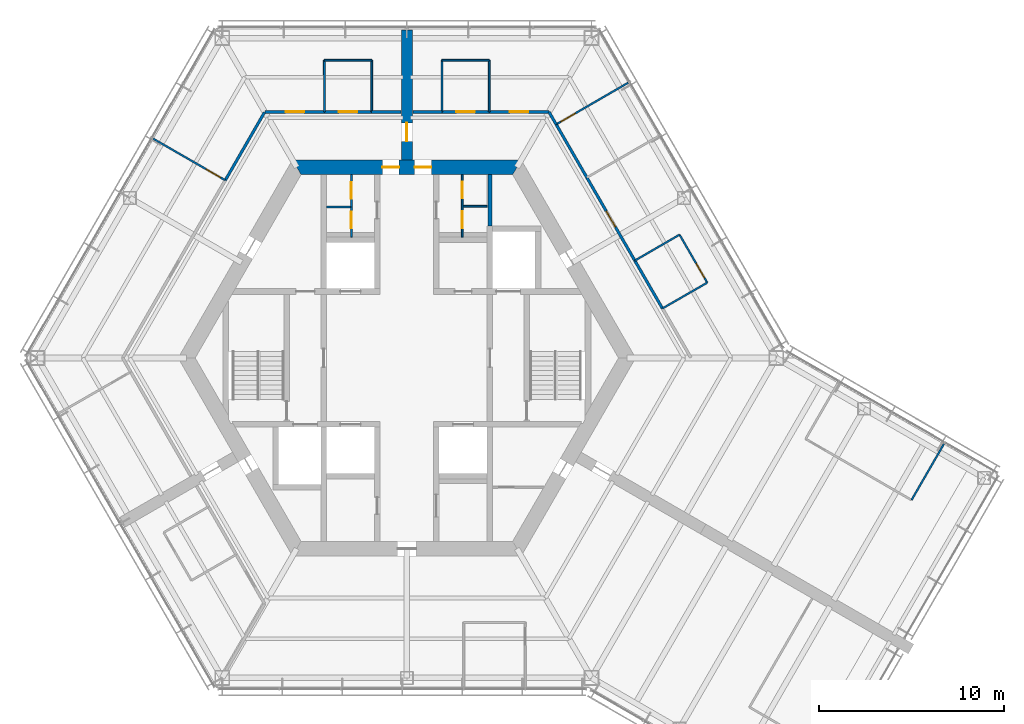
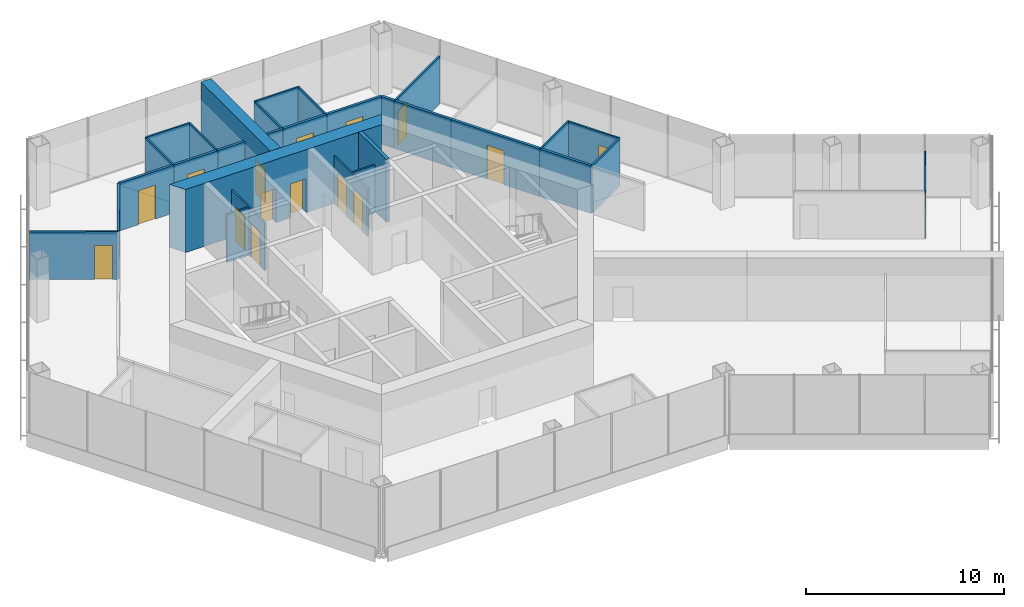
# One storey, part 12 of 15: 30 walls, 15 doors, 15 openings.
"""IFC4 building model written with IfcOpenShell, lengths in metres."""

from ifc_helpers import new_model, si_unit, direction, frame, frame_2d, origin, place, context, subcontext, project, spatial, polyline, rectangle, outline, extrude, material, layer, layer_set, type_object, element, fill, save


model = new_model("IFC4")

# Units and contexts
model_context = context("Model", 3, precision=1e-05, world=origin(), true_north=direction((0.0, 1.0)))
body_context = subcontext(model_context, "Body", "Model", "MODEL_VIEW")
ifc_project = project(units=[si_unit("LENGTHUNIT", "METRE"), si_unit("AREAUNIT", "SQUARE_METRE"), si_unit("VOLUMEUNIT", "CUBIC_METRE"), si_unit("PLANEANGLEUNIT", "RADIAN"), si_unit("MASSUNIT", "GRAM", prefix="KILO")], contexts=[model_context])

# Site, building, storey
site_placement = place(None, origin())
site = spatial("IfcSite", under=ifc_project, at=site_placement, CompositionType="ELEMENT")
building_placement = place(site_placement, origin())
building = spatial("IfcBuilding", under=site, at=building_placement, Name="Kasaneha Research Tower", CompositionType="ELEMENT")
storey_placement = place(building_placement, frame((0.0, 0.0, 240.10009765625)))
storey = spatial("IfcBuildingStorey", under=building, at=storey_placement, Name="L60", CompositionType="ELEMENT", Elevation=240.10009765625)

# Wall, openings, doors
ifc_material_1 = material(Name="Concrete Fc60", Category="concrete")
ifc_layer_1 = layer(ifc_material_1, 0.800048828125)
ifc_layer_set_1 = layer_set([ifc_layer_1], Name="Core wall 800 Fc60")
wall_type_1 = type_object("IfcWallType", Name="Core wall 800 Fc60", PredefinedType="SHEAR", material=ifc_layer_set_1)
wall_1_placement = place(storey_placement, frame((5.961181640625, 10.324951171875, 0.0), z_axis=(0.0, 0.0, 1.0), x_axis=(-1.0, 0.0, 0.0)))
wall_1 = element("IfcWall", 1, at=wall_1_placement, inside=storey, type_object=wall_type_1, Name="Core wall 090 L60", PredefinedType="SHEAR", context=body_context, shape_type="SweptSolid", body=[
    extrude(outline(polyline([(-0.23095703125, -0.39990234375), (4.63623046875, -0.39990234375), (5.5361328125, -0.39990234375), (6.38623046875, -0.39990234375), (7.2861328125, -0.39990234375), (12.1533203125, -0.39990234375), (11.69140625, 0.39990234375), (7.2861328125, 0.39990234375), (6.38623046875, 0.39990234375), (5.5361328125, 0.39990234375), (4.63623046875, 0.39990234375), (0.23095703125, 0.39990234375), (-0.23095703125, -0.39990234375)])), origin(), (0.0, 0.0, 1.0), 3.89990234375),
])
opening_1_placement = place(wall_1_placement, frame((6.38623046875, 0.0, 0.0)))
opening_1 = element("IfcOpeningElement", 2, at=opening_1_placement, cuts=wall_1, Name="Opening L60-D01", PredefinedType="OPENING", context=body_context, shape_type="SweptSolid", body=[
    extrude(rectangle(XDim=0.89990234375, YDim=2.10009765625, at=frame_2d((0.449951171875, 1.050048828125))), frame((0.0, 0.41015625, 0.0), z_axis=(0.0, -1.0, 0.0), x_axis=(1.0, 0.0, 0.0)), (0.0, 0.0, 1.0), 0.820068359375),
])
opening_2_placement = place(wall_1_placement, frame((4.63623046875, 0.0, 0.0)))
opening_2 = element("IfcOpeningElement", 3, at=opening_2_placement, cuts=wall_1, Name="Opening L60-D02", PredefinedType="OPENING", context=body_context, shape_type="SweptSolid", body=[
    extrude(rectangle(XDim=0.89990234375, YDim=2.10009765625, at=frame_2d((0.449951171875, 1.050048828125))), frame((0.0, 0.41015625, 0.0), z_axis=(0.0, -1.0, 0.0), x_axis=(1.0, 0.0, 0.0)), (0.0, 0.0, 1.0), 0.820068359375),
])
ifc_material_2 = material(Name="Steel", Category="steel")
door_type_1 = type_object("IfcDoorType", Name="Toilet door FD20 900x2100", OperationType="NOTDEFINED", PredefinedType="DOOR", material=ifc_material_2)
door_1_placement = place(opening_1_placement, origin())
door_1 = element("IfcDoor", 4, at=door_1_placement, inside=storey, type_object=door_type_1, Name="Core door north 1 L60-D01", OperationType="SINGLE_SWING_RIGHT", OverallHeight=2.10009765625, OverallWidth=0.89990234375, PredefinedType="DOOR", context=body_context, shape_type="SweptSolid", body=[
    extrude(rectangle(XDim=0.89990234375, YDim=2.10009765625, at=frame_2d((0.449951171875, 1.050048828125))), frame((0.0, 0.02490234375, 0.0), z_axis=(0.0, -1.0, 0.0), x_axis=(1.0, 0.0, 0.0)), (0.0, 0.0, 1.0), 0.050048828125),
])
fill(opening_1, door_1)
door_2_placement = place(opening_2_placement, origin())
door_2 = element("IfcDoor", 5, at=door_2_placement, inside=storey, type_object=door_type_1, Name="Core door north 2 L60-D02", OperationType="SINGLE_SWING_LEFT", OverallHeight=2.10009765625, OverallWidth=0.89990234375, PredefinedType="DOOR", context=body_context, shape_type="SweptSolid", body=[
    extrude(rectangle(XDim=0.89990234375, YDim=2.10009765625, at=frame_2d((0.449951171875, 1.050048828125))), frame((0.0, 0.02490234375, 0.0), z_axis=(0.0, -1.0, 0.0), x_axis=(1.0, 0.0, 0.0)), (0.0, 0.0, 1.0), 0.050048828125),
])
fill(opening_2, door_2)

ifc_material_3 = material(Name="Gypsum board on steel studs, one layer each side", Category="steel")
ifc_layer_2 = layer(ifc_material_3, 0.10009765625)
ifc_layer_set_2 = layer_set([ifc_layer_2], Name="Office partition 100")
wall_type_2 = type_object("IfcWallType", Name="Office partition 100", PredefinedType="PARTITIONING", material=ifc_layer_set_2)
wall_2_placement = place(storey_placement, frame((-3.0, 6.550048828125, 0.0), z_axis=(0.0, 0.0, 1.0), x_axis=(0.0, 1.0, 0.0)))
wall_2 = element("IfcWall", 6, at=wall_2_placement, inside=storey, type_object=wall_type_2, Name="Office partition TBM1 L60", PredefinedType="PARTITIONING", context=body_context, shape_type="SweptSolid", body=[
    extrude(rectangle(XDim=3.375, YDim=0.10009765625, at=frame_2d((1.6875, 0.0))), origin(), (0.0, 0.0, 1.0), 2.949951171875),
])
opening_3_placement = place(wall_2_placement, frame((2.074951171875, 0.0, 0.0)))
opening_3 = element("IfcOpeningElement", 7, at=opening_3_placement, cuts=wall_2, Name="Opening L60-D21", PredefinedType="OPENING", context=body_context, shape_type="SweptSolid", body=[
    extrude(rectangle(XDim=0.89990234375, YDim=2.10009765625, at=frame_2d((0.449951171875, 1.050048828125))), frame((0.0, 0.06005859375, 0.0), z_axis=(0.0, -1.0, 0.0), x_axis=(1.0, 0.0, 0.0)), (0.0, 0.0, 1.0), 0.1201171875),
])
opening_4_placement = place(wall_2_placement, frame((0.46240234375, 0.0, 0.0)))
opening_4 = element("IfcOpeningElement", 8, at=opening_4_placement, cuts=wall_2, Name="Opening L60-D22", PredefinedType="OPENING", context=body_context, shape_type="SweptSolid", body=[
    extrude(rectangle(XDim=0.89990234375, YDim=2.10009765625, at=frame_2d((0.449951171875, 1.050048828125))), frame((0.0, 0.06005859375, 0.0), z_axis=(0.0, -1.0, 0.0), x_axis=(1.0, 0.0, 0.0)), (0.0, 0.0, 1.0), 0.1201171875),
])
ifc_material_4 = material(Name="Steel", Category="steel")
door_type_2 = type_object("IfcDoorType", Name="Toilet lobby door FD30 900x2100", OperationType="NOTDEFINED", PredefinedType="DOOR", material=ifc_material_4)
door_3_placement = place(opening_3_placement, origin())
door_3 = element("IfcDoor", 9, at=door_3_placement, inside=storey, type_object=door_type_2, Name="Men's WC door L60-D21", OperationType="SINGLE_SWING_RIGHT", OverallHeight=2.10009765625, OverallWidth=0.89990234375, PredefinedType="DOOR", context=body_context, shape_type="SweptSolid", body=[
    extrude(rectangle(XDim=0.89990234375, YDim=2.10009765625, at=frame_2d((0.449951171875, 1.050048828125))), frame((0.0, 0.02490234375, 0.0), z_axis=(0.0, -1.0, 0.0), x_axis=(1.0, 0.0, 0.0)), (0.0, 0.0, 1.0), 0.050048828125),
])
fill(opening_3, door_3)
door_4_placement = place(opening_4_placement, origin())
door_4 = element("IfcDoor", 10, at=door_4_placement, inside=storey, type_object=door_type_2, Name="Cleaner's store door L60-D22", OperationType="SINGLE_SWING_RIGHT", OverallHeight=2.10009765625, OverallWidth=0.89990234375, PredefinedType="DOOR", context=body_context, shape_type="SweptSolid", body=[
    extrude(rectangle(XDim=0.89990234375, YDim=2.10009765625, at=frame_2d((0.449951171875, 1.050048828125))), frame((0.0, 0.02490234375, 0.0), z_axis=(0.0, -1.0, 0.0), x_axis=(1.0, 0.0, 0.0)), (0.0, 0.0, 1.0), 0.050048828125),
])
fill(opening_4, door_4)

# Wall
wall_3_placement = place(storey_placement, frame((-3.050048828125, 8.175048828125, 0.0), z_axis=(0.0, 0.0, 1.0), x_axis=(-1.0, 0.0, 0.0)))
element("IfcWall", 11, at=wall_3_placement, inside=storey, type_object=wall_type_2, Name="Office partition TBM2 L60", PredefinedType="PARTITIONING", context=body_context, shape_type="SweptSolid", body=[
    extrude(rectangle(XDim=1.300048828125, YDim=0.10009765625, at=frame_2d((0.64990234375, 0.0))), origin(), (0.0, 0.0, 1.0), 2.949951171875),
])

# Wall, openings, doors
wall_4_placement = place(storey_placement, frame((3.0, 6.550048828125, 0.0), z_axis=(0.0, 0.0, 1.0), x_axis=(0.0, 1.0, 0.0)))
wall_4 = element("IfcWall", 12, at=wall_4_placement, inside=storey, type_object=wall_type_2, Name="Office partition TBF1 L60", PredefinedType="PARTITIONING", context=body_context, shape_type="SweptSolid", body=[
    extrude(rectangle(XDim=3.375, YDim=0.10009765625, at=frame_2d((1.6875, 0.0))), origin(), (0.0, 0.0, 1.0), 2.949951171875),
])
opening_5_placement = place(wall_4_placement, frame((2.09521484375, 0.0, 0.0)))
opening_5 = element("IfcOpeningElement", 13, at=opening_5_placement, cuts=wall_4, Name="Opening L60-D23", PredefinedType="OPENING", context=body_context, shape_type="SweptSolid", body=[
    extrude(rectangle(XDim=0.89990234375, YDim=2.10009765625, at=frame_2d((0.449951171875, 1.050048828125))), frame((0.0, 0.06005859375, 0.0), z_axis=(0.0, -1.0, 0.0), x_axis=(1.0, 0.0, 0.0)), (0.0, 0.0, 1.0), 0.1201171875),
])
opening_6_placement = place(wall_4_placement, frame((0.482666015625, 0.0, 0.0)))
opening_6 = element("IfcOpeningElement", 14, at=opening_6_placement, cuts=wall_4, Name="Opening L60-D24", PredefinedType="OPENING", context=body_context, shape_type="SweptSolid", body=[
    extrude(rectangle(XDim=0.89990234375, YDim=2.10009765625, at=frame_2d((0.449951171875, 1.050048828125))), frame((0.0, 0.06005859375, 0.0), z_axis=(0.0, -1.0, 0.0), x_axis=(1.0, 0.0, 0.0)), (0.0, 0.0, 1.0), 0.1201171875),
])
door_5_placement = place(opening_5_placement, origin())
door_5 = element("IfcDoor", 15, at=door_5_placement, inside=storey, type_object=door_type_2, Name="Women's WC door L60-D23", OperationType="SINGLE_SWING_RIGHT", OverallHeight=2.10009765625, OverallWidth=0.89990234375, PredefinedType="DOOR", context=body_context, shape_type="SweptSolid", body=[
    extrude(rectangle(XDim=0.89990234375, YDim=2.10009765625, at=frame_2d((0.449951171875, 1.050048828125))), frame((0.0, 0.02490234375, 0.0), z_axis=(0.0, -1.0, 0.0), x_axis=(1.0, 0.0, 0.0)), (0.0, 0.0, 1.0), 0.050048828125),
])
fill(opening_5, door_5)
door_6_placement = place(opening_6_placement, origin())
door_6 = element("IfcDoor", 16, at=door_6_placement, inside=storey, type_object=door_type_2, Name="Shower room door L60-D24", OperationType="SINGLE_SWING_RIGHT", OverallHeight=2.10009765625, OverallWidth=0.89990234375, PredefinedType="DOOR", context=body_context, shape_type="SweptSolid", body=[
    extrude(rectangle(XDim=0.89990234375, YDim=2.10009765625, at=frame_2d((0.449951171875, 1.050048828125))), frame((0.0, 0.02490234375, 0.0), z_axis=(0.0, -1.0, 0.0), x_axis=(1.0, 0.0, 0.0)), (0.0, 0.0, 1.0), 0.050048828125),
])
fill(opening_6, door_6)

# Walls
wall_5_placement = place(storey_placement, frame((3.050048828125, 8.21533203125, 0.0), z_axis=(0.0, 0.0, 1.0), x_axis=(1.0, 0.0, 0.0)))
element("IfcWall", 17, at=wall_5_placement, inside=storey, type_object=wall_type_2, Name="Office partition TBF2 L60", PredefinedType="PARTITIONING", context=body_context, shape_type="SweptSolid", body=[
    extrude(rectangle(XDim=1.300048828125, YDim=0.10009765625, at=frame_2d((0.64990234375, 0.0))), origin(), (0.0, 0.0, 1.0), 2.949951171875),
])
wall_6_placement = place(storey_placement, frame((1.89990234375, 16.125, 0.0), z_axis=(0.0, 0.0, 1.0), x_axis=(1.0, 0.0, 0.0)))
element("IfcWall", 18, at=wall_6_placement, inside=storey, type_object=wall_type_2, Name="Office partition FAE09 L60", PredefinedType="PARTITIONING", context=body_context, shape_type="SweptSolid", body=[
    extrude(rectangle(XDim=2.565185546875, YDim=0.10009765625, at=frame_2d((1.28271484375, 0.0))), origin(), (0.0, 0.0, 1.0), 2.949951171875),
])
for number, where, z_axis, x_axis, name in (
    (19, (1.904541015625, 13.324951171875, 0.0), (0.0, 0.0, 1.0), (-0.001656637364, 0.999998627775, 0.0), "Office partition FAE10 L60"),
    (20, (4.465087890625, 16.125, 0.0), (0.0, 0.0, 1.0), (-0.001656637364, -0.999998627775, 0.0), "Office partition FAE11 L60"),
    (21, (12.342041015625, 5.27294921875, 0.0), (0.0, 0.0, 1.0), (0.865195372903, 0.501434907746, 0.0), "Office partition FAE12 L60"),
):
    element("IfcWall", number, at=place(storey_placement, frame(where, z_axis=z_axis, x_axis=x_axis)), inside=storey, type_object=wall_type_2, Name=name, PredefinedType="PARTITIONING", context=body_context, shape_type="SweptSolid", body=[
        extrude(rectangle(XDim=2.800048828125, YDim=0.10009765625, at=frame_2d((1.39990234375, 0.0))), origin(), (0.0, 0.0, 1.0), 2.949951171875),
    ])

# Wall, opening, door
wall_7_placement = place(storey_placement, frame((14.7646484375, 6.677001953125, 0.0), z_axis=(0.0, 0.0, 1.0), x_axis=(0.499990139034, -0.866031096941, 0.0)))
wall_7 = element("IfcWall", 22, at=wall_7_placement, inside=storey, type_object=wall_type_2, Name="Office partition FAE13 L60", PredefinedType="PARTITIONING", context=body_context, shape_type="SweptSolid", body=[
    extrude(rectangle(XDim=3.0, YDim=0.10009765625, at=frame_2d((1.5, 0.0))), origin(), (0.0, 0.0, 1.0), 2.949951171875),
])
opening_7_placement = place(wall_7_placement, frame((1.800048828125, 0.0, 0.0)))
opening_7 = element("IfcOpeningElement", 23, at=opening_7_placement, cuts=wall_7, Name="Opening L60-D29", PredefinedType="OPENING", context=body_context, shape_type="SweptSolid", body=[
    extrude(rectangle(XDim=0.89990234375, YDim=2.10009765625, at=frame_2d((0.449951171875, 1.050048828125))), frame((0.0, 0.06005859375, 0.0), z_axis=(0.0, -1.0, 0.0), x_axis=(1.0, 0.0, 0.0)), (0.0, 0.0, 1.0), 0.1201171875),
])
ifc_material_5 = material(Name="Timber veneer", Category="wood")
door_type_3 = type_object("IfcDoorType", Name="Office door 900x2100", OperationType="SINGLE_SWING_LEFT", PredefinedType="DOOR", material=ifc_material_5)
door_7_placement = place(opening_7_placement, origin())
door_7 = element("IfcDoor", 24, at=door_7_placement, inside=storey, type_object=door_type_3, Name="Pantry door L60-D29", OperationType="SINGLE_SWING_RIGHT", OverallHeight=2.10009765625, OverallWidth=0.89990234375, PredefinedType="DOOR", context=body_context, shape_type="SweptSolid", body=[
    extrude(rectangle(XDim=0.89990234375, YDim=2.10009765625, at=frame_2d((0.449951171875, 1.050048828125))), frame((0.0, 0.02490234375, 0.0), z_axis=(0.0, -1.0, 0.0), x_axis=(1.0, 0.0, 0.0)), (0.0, 0.0, 1.0), 0.050048828125),
])
fill(opening_7, door_7)

# Wall
wall_8_placement = place(storey_placement, frame((16.2646484375, 4.078857421875, 0.0), z_axis=(0.0, 0.0, 1.0), x_axis=(-0.86679607088, -0.498662783358, 0.0)))
element("IfcWall", 25, at=wall_8_placement, inside=storey, type_object=wall_type_2, Name="Office partition FAE14 L60", PredefinedType="PARTITIONING", context=body_context, shape_type="SweptSolid", body=[
    extrude(rectangle(XDim=2.800048828125, YDim=0.10009765625, at=frame_2d((1.39990234375, 0.0))), origin(), (0.0, 0.0, 1.0), 2.949951171875),
])

# Wall, opening, door
wall_9_placement = place(storey_placement, frame((8.084228515625, 12.647705078125, 0.0), z_axis=(0.0, 0.0, 1.0), x_axis=(0.865532616855, 0.500852562298, 0.0)))
wall_9 = element("IfcWall", 26, at=wall_9_placement, inside=storey, type_object=wall_type_2, Name="Office partition FAE16 L60", PredefinedType="PARTITIONING", context=body_context, shape_type="SweptSolid", body=[
    extrude(rectangle(XDim=4.505615234375, YDim=0.10009765625, at=frame_2d((2.2529296875, 0.0))), origin(), (0.0, 0.0, 1.0), 2.949951171875),
])
opening_8_placement = place(wall_9_placement, frame((0.300048828125, 0.0, 0.0)))
opening_8 = element("IfcOpeningElement", 27, at=opening_8_placement, cuts=wall_9, Name="Opening L60-D30", PredefinedType="OPENING", context=body_context, shape_type="SweptSolid", body=[
    extrude(rectangle(XDim=0.89990234375, YDim=2.10009765625, at=frame_2d((0.449951171875, 1.050048828125))), frame((0.0, 0.06005859375, 0.0), z_axis=(0.0, -1.0, 0.0), x_axis=(1.0, 0.0, 0.0)), (0.0, 0.0, 1.0), 0.1201171875),
])
door_8_placement = place(opening_8_placement, origin())
door_8 = element("IfcDoor", 28, at=door_8_placement, inside=storey, type_object=door_type_3, Name="Meeting room door L60-D30", OperationType="SINGLE_SWING_LEFT", OverallHeight=2.10009765625, OverallWidth=0.89990234375, PredefinedType="DOOR", context=body_context, shape_type="SweptSolid", body=[
    extrude(rectangle(XDim=0.89990234375, YDim=2.10009765625, at=frame_2d((0.449951171875, 1.050048828125))), frame((0.0, 0.02490234375, 0.0), z_axis=(0.0, -1.0, 0.0), x_axis=(1.0, 0.0, 0.0)), (0.0, 0.0, 1.0), 0.050048828125),
])
fill(opening_8, door_8)

# Walls
wall_10_placement = place(storey_placement, frame((-4.465087890625, 16.125, 0.0), z_axis=(0.0, 0.0, 1.0), x_axis=(1.0, 0.0, 0.0)))
element("IfcWall", 29, at=wall_10_placement, inside=storey, type_object=wall_type_2, Name="Office partition FAW04 L60", PredefinedType="PARTITIONING", context=body_context, shape_type="SweptSolid", body=[
    extrude(rectangle(XDim=2.565185546875, YDim=0.10009765625, at=frame_2d((1.28271484375, 0.0))), origin(), (0.0, 0.0, 1.0), 2.949951171875),
])
for number, where, z_axis, x_axis, name in (
    (30, (-4.46044921875, 13.324951171875, 0.0), (0.0, 0.0, 1.0), (-0.001656637364, 0.999998627775, 0.0), "Office partition FAW05 L60"),
    (31, (-1.89990234375, 16.125, 0.0), (0.0, 0.0, 1.0), (-0.001656637364, -0.999998627775, 0.0), "Office partition FAW06 L60"),
):
    element("IfcWall", number, at=place(storey_placement, frame(where, z_axis=z_axis, x_axis=x_axis)), inside=storey, type_object=wall_type_2, Name=name, PredefinedType="PARTITIONING", context=body_context, shape_type="SweptSolid", body=[
        extrude(rectangle(XDim=2.800048828125, YDim=0.10009765625, at=frame_2d((1.39990234375, 0.0))), origin(), (0.0, 0.0, 1.0), 2.949951171875),
    ])

# Wall, opening, door
wall_11_placement = place(storey_placement, frame((-9.829833984375, 9.624267578125, 0.0), z_axis=(0.0, 0.0, 1.0), x_axis=(-0.866527293697, 0.499129691842, 0.0)))
wall_11 = element("IfcWall", 32, at=wall_11_placement, inside=storey, type_object=wall_type_2, Name="Office partition FBN06 L60", PredefinedType="PARTITIONING", context=body_context, shape_type="SweptSolid", body=[
    extrude(rectangle(XDim=4.50537109375, YDim=0.10009765625, at=frame_2d((2.252685546875, 0.0))), origin(), (0.0, 0.0, 1.0), 2.949951171875),
])
opening_9_placement = place(wall_11_placement, frame((0.300048828125, 0.0, 0.0)))
opening_9 = element("IfcOpeningElement", 33, at=opening_9_placement, cuts=wall_11, Name="Opening L60-D35", PredefinedType="OPENING", context=body_context, shape_type="SweptSolid", body=[
    extrude(rectangle(XDim=0.89990234375, YDim=2.10009765625, at=frame_2d((0.449951171875, 1.050048828125))), frame((0.0, 0.06005859375, 0.0), z_axis=(0.0, -1.0, 0.0), x_axis=(1.0, 0.0, 0.0)), (0.0, 0.0, 1.0), 0.1201171875),
])
door_9_placement = place(opening_9_placement, origin())
door_9 = element("IfcDoor", 34, at=door_9_placement, inside=storey, type_object=door_type_3, Name="Reading room door L60-D35", OperationType="SINGLE_SWING_LEFT", OverallHeight=2.10009765625, OverallWidth=0.89990234375, PredefinedType="DOOR", context=body_context, shape_type="SweptSolid", body=[
    extrude(rectangle(XDim=0.89990234375, YDim=2.10009765625, at=frame_2d((0.449951171875, 1.050048828125))), frame((0.0, 0.02490234375, 0.0), z_axis=(0.0, -1.0, 0.0), x_axis=(1.0, 0.0, 0.0)), (0.0, 0.0, 1.0), 0.050048828125),
])
fill(opening_9, door_9)

# Walls
wall_12_placement = place(storey_placement, frame((29.080078125, -4.6533203125, 0.0), z_axis=(0.0, 0.0, 1.0), x_axis=(-0.500021481416, -0.866013001128, 0.0)))
element("IfcWall", 35, at=wall_12_placement, inside=storey, type_object=wall_type_2, Name="Office partition FCE03 L60", PredefinedType="PARTITIONING", context=body_context, shape_type="SweptSolid", body=[
    extrude(rectangle(XDim=3.510009765625, YDim=0.10009765625, at=frame_2d((1.7548828125, 0.0))), origin(), (0.0, 0.0, 1.0), 2.949951171875),
])
ifc_material_6 = material(Name="Concrete block", Category="concrete")
ifc_layer_3 = layer(ifc_material_6, 0.199951171875)
ifc_layer_set_3 = layer_set([ifc_layer_3], Name="Riser enclosure wall 200")
wall_type_3 = type_object("IfcWallType", Name="Riser enclosure wall 200", PredefinedType="STANDARD", material=ifc_layer_set_3)
wall_13_placement = place(storey_placement, frame((4.5, 7.14990234375, 0.0), z_axis=(0.0, 0.0, 1.0), x_axis=(0.0, 1.0, 0.0)))
element("IfcWall", 36, at=wall_13_placement, inside=storey, type_object=wall_type_3, Name="Riser enclosure wall L60", PredefinedType="STANDARD", context=body_context, shape_type="SweptSolid", body=[
    extrude(rectangle(XDim=2.775146484375, YDim=0.199951171875, at=frame_2d((1.3876953125, 0.0))), origin(), (0.0, 0.0, 1.0), 3.89990234375),
])

# Wall, opening, door
ifc_material_7 = material(Name="Concrete Fc60", Category="concrete")
ifc_layer_4 = layer(ifc_material_7, 0.60009765625)
ifc_layer_set_4 = layer_set([ifc_layer_4], Name="Spine wall 600 Fc60")
wall_type_4 = type_object("IfcWallType", Name="Spine wall 600 Fc60", PredefinedType="SHEAR", material=ifc_layer_set_4)
wall_14_placement = place(storey_placement, frame((0.0, 10.72509765625, 0.0), z_axis=(0.0, 0.0, 1.0), x_axis=(0.0, 1.0, 0.0)))
wall_14 = element("IfcWall", 37, at=wall_14_placement, inside=storey, type_object=wall_type_4, Name="Spine wall A L60", PredefinedType="SHEAR", context=body_context, shape_type="SweptSolid", body=[
    extrude(rectangle(XDim=7.04541015625, YDim=0.60009765625, at=frame_2d((3.522705078125, 0.0))), origin(), (0.0, 0.0, 1.0), 3.89990234375),
])
opening_10_placement = place(wall_14_placement, frame((1.0, 0.0, 0.0)))
opening_10 = element("IfcOpeningElement", 38, at=opening_10_placement, cuts=wall_14, Name="Opening L60-D18", PredefinedType="OPENING", context=body_context, shape_type="SweptSolid", body=[
    extrude(rectangle(XDim=1.0, YDim=2.10009765625, at=frame_2d((0.5, 1.050048828125))), frame((0.0, 0.31005859375, 0.0), z_axis=(0.0, -1.0, 0.0), x_axis=(1.0, 0.0, 0.0)), (0.0, 0.0, 1.0), 0.6201171875),
])
ifc_material_8 = material(Name="Steel", Category="steel")
door_type_4 = type_object("IfcDoorType", Name="Specified fire door FD60 1000x2100", OperationType="NOTDEFINED", PredefinedType="DOOR", material=ifc_material_8)
door_10_placement = place(opening_10_placement, origin())
door_10 = element("IfcDoor", 39, at=door_10_placement, inside=storey, type_object=door_type_4, Name="Spine doorway A L60-D18", OperationType="SINGLE_SWING_LEFT", OverallHeight=2.10009765625, OverallWidth=1.0, PredefinedType="DOOR", context=body_context, shape_type="SweptSolid", body=[
    extrude(rectangle(XDim=1.0, YDim=2.10009765625, at=frame_2d((0.5, 1.050048828125))), frame((0.0, 0.02490234375, 0.0), z_axis=(0.0, -1.0, 0.0), x_axis=(1.0, 0.0, 0.0)), (0.0, 0.0, 1.0), 0.050048828125),
])
fill(opening_10, door_10)

ifc_material_9 = material(Name="Gypsum board on steel studs, two layers each side", Category="steel")
ifc_layer_5 = layer(ifc_material_9, 0.14990234375)
ifc_layer_set_5 = layer_set([ifc_layer_5], Name="Suite partition 150")
wall_type_5 = type_object("IfcWallType", Name="Suite partition 150", PredefinedType="PARTITIONING", material=ifc_layer_set_5)
wall_15_placement = place(storey_placement, frame((1.89501953125, 13.324951171875, 0.0), z_axis=(0.0, 0.0, 1.0), x_axis=(1.0, 0.0, 0.0)))
wall_15 = element("IfcWall", 40, at=wall_15_placement, inside=storey, type_object=wall_type_5, Name="Suite partition FAE01 L60", PredefinedType="PARTITIONING", context=body_context, shape_type="SweptSolid", body=[
    extrude(rectangle(XDim=2.574951171875, YDim=0.14990234375, at=frame_2d((1.28759765625, 0.0))), origin(), (0.0, 0.0, 1.0), 2.949951171875),
])
opening_11_placement = place(wall_15_placement, frame((0.78759765625, 0.0, 0.0)))
opening_11 = element("IfcOpeningElement", 41, at=opening_11_placement, cuts=wall_15, Name="Opening L60-D26", PredefinedType="OPENING", context=body_context, shape_type="SweptSolid", body=[
    extrude(rectangle(XDim=1.0, YDim=2.10009765625, at=frame_2d((0.5, 1.050048828125))), frame((0.0, 0.0849609375, 0.0), z_axis=(0.0, -1.0, 0.0), x_axis=(1.0, 0.0, 0.0)), (0.0, 0.0, 1.0), 0.169921875),
])
ifc_material_10 = material(Name="Steel", Category="steel")
door_type_5 = type_object("IfcDoorType", Name="Suite entrance door FD60 1000x2100", OperationType="NOTDEFINED", PredefinedType="DOOR", material=ifc_material_10)
door_11_placement = place(opening_11_placement, origin())
door_11 = element("IfcDoor", 42, at=door_11_placement, inside=storey, type_object=door_type_5, Name="Suite entrance door L60-D26", OperationType="SINGLE_SWING_RIGHT", OverallHeight=2.10009765625, OverallWidth=1.0, PredefinedType="DOOR", context=body_context, shape_type="SweptSolid", body=[
    extrude(rectangle(XDim=1.0, YDim=2.10009765625, at=frame_2d((0.5, 1.050048828125))), frame((0.0, 0.02490234375, 0.0), z_axis=(0.0, -1.0, 0.0), x_axis=(1.0, 0.0, 0.0)), (0.0, 0.0, 1.0), 0.050048828125),
])
fill(opening_11, door_11)

# Walls
wall_16_placement = place(storey_placement, frame((12.33740234375, 5.28125, 0.0), z_axis=(0.0, 0.0, 1.0), x_axis=(0.499977562641, -0.866038357612, 0.0)))
element("IfcWall", 43, at=wall_16_placement, inside=storey, type_object=wall_type_5, Name="Suite partition FAE02 L60", PredefinedType="PARTITIONING", context=body_context, shape_type="SweptSolid", body=[
    extrude(rectangle(XDim=3.010009765625, YDim=0.14990234375, at=frame_2d((1.5048828125, 0.0))), origin(), (0.0, 0.0, 1.0), 2.949951171875),
])
wall_17_placement = place(storey_placement, frame((8.07958984375, 12.65576171875, 0.0), z_axis=(0.0, 0.0, 1.0), x_axis=(0.499990242038, -0.866031037473, 0.0)))
element("IfcWall", 44, at=wall_17_placement, inside=storey, type_object=wall_type_5, Name="Suite partition FAE03 L60", PredefinedType="PARTITIONING", context=body_context, shape_type="SweptSolid", body=[
    extrude(rectangle(XDim=3.3408203125, YDim=0.14990234375, at=frame_2d((1.67041015625, 0.0))), origin(), (0.0, 0.0, 1.0), 2.949951171875),
])

# Wall, opening, door
wall_18_placement = place(storey_placement, frame((9.745361328125, 9.770751953125, 0.0), z_axis=(0.0, 0.0, 1.0), x_axis=(0.499981525251, -0.866036069923, 0.0)))
wall_18 = element("IfcWall", 45, at=wall_18_placement, inside=storey, type_object=wall_type_5, Name="Suite partition FAE04 L60", PredefinedType="PARTITIONING", context=body_context, shape_type="SweptSolid", body=[
    extrude(rectangle(XDim=5.193603515625, YDim=0.14990234375, at=frame_2d((2.5966796875, 0.0))), origin(), (0.0, 0.0, 1.0), 2.949951171875),
])
opening_12_placement = place(wall_18_placement, frame((2.0966796875, 0.0, 0.0)))
opening_12 = element("IfcOpeningElement", 46, at=opening_12_placement, cuts=wall_18, Name="Opening L60-D27", PredefinedType="OPENING", context=body_context, shape_type="SweptSolid", body=[
    extrude(rectangle(XDim=1.0, YDim=2.10009765625, at=frame_2d((0.5, 1.050048828125))), frame((0.0, 0.0849609375, 0.0), z_axis=(0.0, -1.0, 0.0), x_axis=(1.0, 0.0, 0.0)), (0.0, 0.0, 1.0), 0.169921875),
])
door_12_placement = place(opening_12_placement, origin())
door_12 = element("IfcDoor", 47, at=door_12_placement, inside=storey, type_object=door_type_5, Name="Suite entrance door L60-D27", OperationType="SINGLE_SWING_RIGHT", OverallHeight=2.10009765625, OverallWidth=1.0, PredefinedType="DOOR", context=body_context, shape_type="SweptSolid", body=[
    extrude(rectangle(XDim=1.0, YDim=2.10009765625, at=frame_2d((0.5, 1.050048828125))), frame((0.0, 0.02490234375, 0.0), z_axis=(0.0, -1.0, 0.0), x_axis=(1.0, 0.0, 0.0)), (0.0, 0.0, 1.0), 0.050048828125),
])
fill(opening_12, door_12)

# Wall
wall_19_placement = place(storey_placement, frame((0.320068359375, 13.324951171875, 0.0), z_axis=(0.0, 0.0, 1.0), x_axis=(1.0, 0.0, 0.0)))
element("IfcWall", 48, at=wall_19_placement, inside=storey, type_object=wall_type_5, Name="Suite partition FAE06 L60", PredefinedType="PARTITIONING", context=body_context, shape_type="SweptSolid", body=[
    extrude(rectangle(XDim=1.58447265625, YDim=0.14990234375, at=frame_2d((0.792236328125, 0.0))), origin(), (0.0, 0.0, 1.0), 2.949951171875),
])

# Wall, opening, door
wall_20_placement = place(storey_placement, frame((4.46044921875, 13.324951171875, 0.0), z_axis=(0.0, 0.0, 1.0), x_axis=(1.0, 0.0, 0.0)))
wall_20 = element("IfcWall", 49, at=wall_20_placement, inside=storey, type_object=wall_type_5, Name="Suite partition FAE07 L60", PredefinedType="PARTITIONING", context=body_context, shape_type="SweptSolid", body=[
    extrude(rectangle(XDim=3.232666015625, YDim=0.14990234375, at=frame_2d((1.6162109375, 0.0))), origin(), (0.0, 0.0, 1.0), 2.949951171875),
])
opening_13_placement = place(wall_20_placement, frame((1.116455078125, 0.0, 0.0)))
opening_13 = element("IfcOpeningElement", 50, at=opening_13_placement, cuts=wall_20, Name="Opening L60-D28", PredefinedType="OPENING", context=body_context, shape_type="SweptSolid", body=[
    extrude(rectangle(XDim=1.0, YDim=2.10009765625, at=frame_2d((0.5, 1.050048828125))), frame((0.0, 0.0849609375, 0.0), z_axis=(0.0, -1.0, 0.0), x_axis=(1.0, 0.0, 0.0)), (0.0, 0.0, 1.0), 0.169921875),
])
door_13_placement = place(opening_13_placement, origin())
door_13 = element("IfcDoor", 51, at=door_13_placement, inside=storey, type_object=door_type_5, Name="Suite entrance door L60-D28", OperationType="SINGLE_SWING_RIGHT", OverallHeight=2.10009765625, OverallWidth=1.0, PredefinedType="DOOR", context=body_context, shape_type="SweptSolid", body=[
    extrude(rectangle(XDim=1.0, YDim=2.10009765625, at=frame_2d((0.5, 1.050048828125))), frame((0.0, 0.02490234375, 0.0), z_axis=(0.0, -1.0, 0.0), x_axis=(1.0, 0.0, 0.0)), (0.0, 0.0, 1.0), 0.050048828125),
])
fill(opening_13, door_13)

# Wall
wall_21_placement = place(storey_placement, frame((7.693115234375, 13.324951171875, 0.0), z_axis=(0.0, 0.0, 1.0), x_axis=(0.50010075504, -0.86596722502, 0.0)))
element("IfcWall", 52, at=wall_21_placement, inside=storey, type_object=wall_type_5, Name="Suite partition FAE08 L60", PredefinedType="PARTITIONING", context=body_context, shape_type="SweptSolid", body=[
    extrude(rectangle(XDim=0.781982421875, YDim=0.14990234375, at=frame_2d((0.39111328125, 0.0))), origin(), (0.0, 0.0, 1.0), 2.949951171875),
])

# Wall, opening, door
wall_22_placement = place(storey_placement, frame((-4.469970703125, 13.324951171875, 0.0), z_axis=(0.0, 0.0, 1.0), x_axis=(1.0, 0.0, 0.0)))
wall_22 = element("IfcWall", 53, at=wall_22_placement, inside=storey, type_object=wall_type_5, Name="Suite partition FAW01 L60", PredefinedType="PARTITIONING", context=body_context, shape_type="SweptSolid", body=[
    extrude(rectangle(XDim=2.574951171875, YDim=0.14990234375, at=frame_2d((1.28759765625, 0.0))), origin(), (0.0, 0.0, 1.0), 2.949951171875),
])
opening_14_placement = place(wall_22_placement, frame((0.78759765625, 0.0, 0.0)))
opening_14 = element("IfcOpeningElement", 54, at=opening_14_placement, cuts=wall_22, Name="Opening L60-D31", PredefinedType="OPENING", context=body_context, shape_type="SweptSolid", body=[
    extrude(rectangle(XDim=1.0, YDim=2.10009765625, at=frame_2d((0.5, 1.050048828125))), frame((0.0, 0.0849609375, 0.0), z_axis=(0.0, -1.0, 0.0), x_axis=(1.0, 0.0, 0.0)), (0.0, 0.0, 1.0), 0.169921875),
])
door_14_placement = place(opening_14_placement, origin())
door_14 = element("IfcDoor", 55, at=door_14_placement, inside=storey, type_object=door_type_5, Name="Suite entrance door L60-D31", OperationType="SINGLE_SWING_RIGHT", OverallHeight=2.10009765625, OverallWidth=1.0, PredefinedType="DOOR", context=body_context, shape_type="SweptSolid", body=[
    extrude(rectangle(XDim=1.0, YDim=2.10009765625, at=frame_2d((0.5, 1.050048828125))), frame((0.0, 0.02490234375, 0.0), z_axis=(0.0, -1.0, 0.0), x_axis=(1.0, 0.0, 0.0)), (0.0, 0.0, 1.0), 0.050048828125),
])
fill(opening_14, door_14)

wall_23_placement = place(storey_placement, frame((-7.670166015625, 13.324951171875, 0.0), z_axis=(0.0, 0.0, 1.0), x_axis=(1.0, 0.0, 0.0)))
wall_23 = element("IfcWall", 56, at=wall_23_placement, inside=storey, type_object=wall_type_5, Name="Suite partition FAW02 L60", PredefinedType="PARTITIONING", context=body_context, shape_type="SweptSolid", body=[
    extrude(rectangle(XDim=3.209716796875, YDim=0.14990234375, at=frame_2d((1.60498046875, 0.0))), origin(), (0.0, 0.0, 1.0), 2.949951171875),
])
opening_15_placement = place(wall_23_placement, frame((1.104736328125, 0.0, 0.0)))
opening_15 = element("IfcOpeningElement", 57, at=opening_15_placement, cuts=wall_23, Name="Opening L60-D32", PredefinedType="OPENING", context=body_context, shape_type="SweptSolid", body=[
    extrude(rectangle(XDim=1.0, YDim=2.10009765625, at=frame_2d((0.5, 1.050048828125))), frame((0.0, 0.0849609375, 0.0), z_axis=(0.0, -1.0, 0.0), x_axis=(1.0, 0.0, 0.0)), (0.0, 0.0, 1.0), 0.169921875),
])
door_15_placement = place(opening_15_placement, origin())
door_15 = element("IfcDoor", 58, at=door_15_placement, inside=storey, type_object=door_type_5, Name="Suite entrance door L60-D32", OperationType="SINGLE_SWING_LEFT", OverallHeight=2.10009765625, OverallWidth=1.0, PredefinedType="DOOR", context=body_context, shape_type="SweptSolid", body=[
    extrude(rectangle(XDim=1.0, YDim=2.10009765625, at=frame_2d((0.5, 1.050048828125))), frame((0.0, 0.02490234375, 0.0), z_axis=(0.0, -1.0, 0.0), x_axis=(1.0, 0.0, 0.0)), (0.0, 0.0, 1.0), 0.050048828125),
])
fill(opening_15, door_15)

# Walls
wall_24_placement = place(storey_placement, frame((-1.904541015625, 13.324951171875, 0.0), z_axis=(0.0, 0.0, 1.0), x_axis=(1.0, 0.0, 0.0)))
element("IfcWall", 59, at=wall_24_placement, inside=storey, type_object=wall_type_5, Name="Suite partition FAW03 L60", PredefinedType="PARTITIONING", context=body_context, shape_type="SweptSolid", body=[
    extrude(rectangle(XDim=1.58447265625, YDim=0.14990234375, at=frame_2d((0.792236328125, 0.0))), origin(), (0.0, 0.0, 1.0), 2.949951171875),
])
wall_25_placement = place(storey_placement, frame((-9.834716796875, 9.6162109375, 0.0), z_axis=(0.0, 0.0, 1.0), x_axis=(0.500078009402, 0.86598036035, 0.0)))
element("IfcWall", 60, at=wall_25_placement, inside=storey, type_object=wall_type_5, Name="Suite partition FBN02 L60", PredefinedType="PARTITIONING", context=body_context, shape_type="SweptSolid", body=[
    extrude(rectangle(XDim=4.259521484375, YDim=0.14990234375, at=frame_2d((2.1298828125, 0.0))), origin(), (0.0, 0.0, 1.0), 2.949951171875),
])

save(model, "model.ifc")
